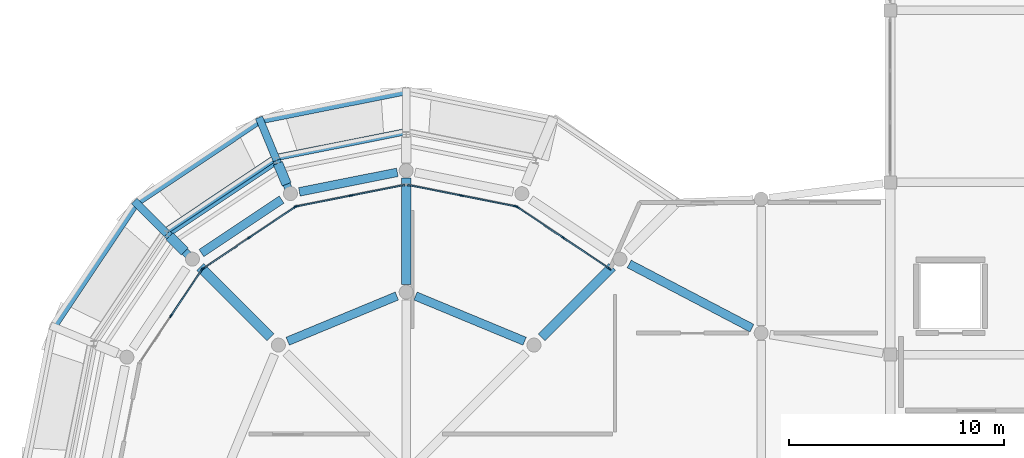
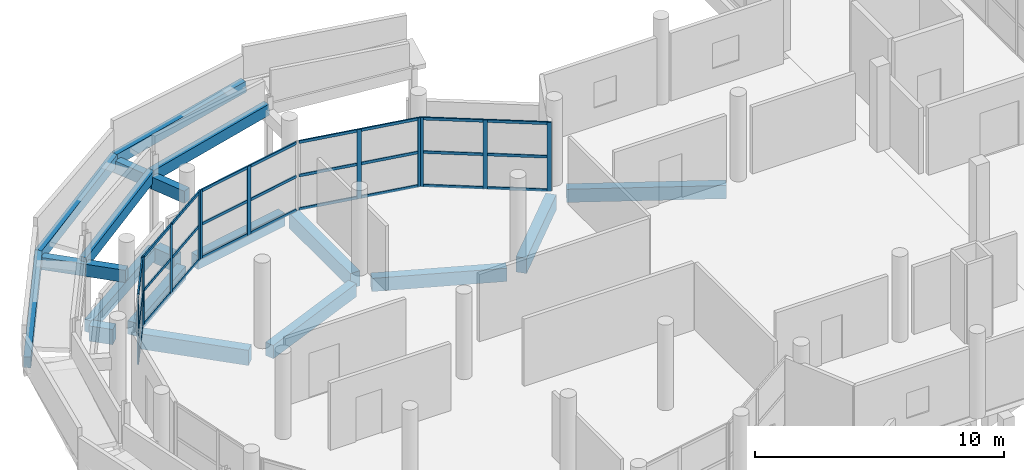
# One storey, part 17 of 137: 39 members, 20 beams, 5 elements without a shape of their own.
"""IFC4 building model written with IfcOpenShell, lengths in metres."""

from ifc_helpers import new_model, si_unit, direction, frame, origin, origin_2d, place, context, subcontext, project, spatial, rectangle, extrude, material, layer, layer_set, material_profile, profile_set, type_object, element, aggregate, save


model = new_model("IFC4")

# Units and contexts
model_context = context("Model", 3, precision=1e-05, world=origin(), true_north=direction((0.0, 1.0)))
body_context = subcontext(model_context, "Body", "Model", "MODEL_VIEW")
ifc_project = project(units=[si_unit("LENGTHUNIT", "METRE"), si_unit("AREAUNIT", "SQUARE_METRE"), si_unit("VOLUMEUNIT", "CUBIC_METRE"), si_unit("PLANEANGLEUNIT", "RADIAN"), si_unit("MASSUNIT", "GRAM", prefix="KILO")], contexts=[model_context])

# Site, building, storey
site_placement = place(None, origin())
site = spatial("IfcSite", under=ifc_project, at=site_placement, CompositionType="ELEMENT")
building_placement = place(site_placement, origin())
building = spatial("IfcBuilding", under=site, at=building_placement, Name="Jelvoka-Kovrelna Polytechnic", CompositionType="ELEMENT")
storey_placement = place(building_placement, frame((0.0, 0.0, 9.60009765625)))
storey = spatial("IfcBuildingStorey", under=building, at=storey_placement, Name="L03", CompositionType="ELEMENT", Elevation=9.60009765625)

# Beams
ifc_material_1 = material(Name="Concrete C35/45", Category="concrete")
ifc_material_profile_1 = material_profile(ifc_material_1, rectangle(XDim=0.35009765625, YDim=0.60009765625, at=origin_2d()), Name="RC 350x600")
ifc_profile_set_1 = profile_set([ifc_material_profile_1], Name="Concrete C35/45")
beam_type_1 = type_object("IfcBeamType", Name="Beam_RC_350x600", PredefinedType="BEAM", material=ifc_profile_set_1)
beam_1_placement = place(storey_placement, frame((15.565185546875, 52.434814453125, 2.414794921875), z_axis=(-0.707106781187, 0.707106781187, 0.0), x_axis=(-0.707106781187, -0.707106781187, 0.0)))
element("IfcBeam", 1, at=beam_1_placement, inside=storey, type_object=beam_type_1, Name="L03 spiral ramp inner tie beam 3.4", PredefinedType="BEAM", context=body_context, shape_type="SweptSolid", body=[
    extrude(rectangle(XDim=0.35009765625, YDim=0.60009765625, at=origin_2d()), origin(), (0.0, 0.0, 1.0), 1.670166015625),
])
beam_2_placement = place(storey_placement, frame((14.38427734375, 53.61572265625, 2.414794921875), z_axis=(-0.707106781187, 0.707106781187, 0.0), x_axis=(-0.707106781187, -0.707106781187, 0.0)))
element("IfcBeam", 2, at=beam_2_placement, inside=storey, type_object=beam_type_1, Name="L03 spiral ramp cantilever bracket 3.4", PredefinedType="BEAM", context=body_context, shape_type="SweptSolid", body=[
    extrude(rectangle(XDim=0.35009765625, YDim=0.60009765625, at=origin_2d()), origin(), (0.0, 0.0, 1.0), 2.159912109375),
])
beam_3_placement = place(storey_placement, frame((20.123291015625, 55.48046875, 2.8349609375), z_axis=(-0.38270467954, 0.923870731357, 0.0), x_axis=(-0.923870731357, -0.38270467954, 0.0)))
element("IfcBeam", 3, at=beam_3_placement, inside=storey, type_object=beam_type_1, Name="L03 spiral ramp inner tie beam 3.3", PredefinedType="BEAM", context=body_context, shape_type="SweptSolid", body=[
    extrude(rectangle(XDim=0.35009765625, YDim=0.60009765625, at=origin_2d()), origin(), (0.0, 0.0, 1.0), 1.670166015625),
])
beam_4_placement = place(storey_placement, frame((19.484130859375, 57.0234375, 2.8349609375), z_axis=(-0.382608018592, 0.923910766313, 0.0), x_axis=(-0.923910766313, -0.382608018592, 0.0)))
element("IfcBeam", 4, at=beam_4_placement, inside=storey, type_object=beam_type_1, Name="L03 spiral ramp cantilever bracket 3.3", PredefinedType="BEAM", context=body_context, shape_type="SweptSolid", body=[
    extrude(rectangle(XDim=0.35009765625, YDim=0.60009765625, at=origin_2d()), origin(), (0.0, 0.0, 1.0), 2.159912109375),
])
ifc_material_2 = material(Name="Concrete C40/50", Category="concrete")
ifc_material_profile_2 = material_profile(ifc_material_2, rectangle(XDim=0.39990234375, YDim=0.64990234375, at=origin_2d()), Name="RC 400x650")
ifc_profile_set_2 = profile_set([ifc_material_profile_2], Name="Concrete C40/50")
beam_type_2 = type_object("IfcBeamType", Name="Beam_RC_400x650", PredefinedType="BEAM", material=ifc_profile_set_2)
for number, where, z_axis, x_axis, name in (
    (5, (31.005615234375, 48.619384765625, -0.5751953125), (-0.923871015002, 0.382703994805, 0.0), (-0.382703994805, -0.923871015002, 0.0), "L03 beam 2478"),
    (6, (25.06591796875, 50.72021484375, -0.5751953125), (-0.923871015002, -0.382703994805, 0.0), (0.382703994805, -0.923871015002, 0.0), "L03 beam 2479"),
):
    element("IfcBeam", number, at=place(storey_placement, frame(where, z_axis=z_axis, x_axis=x_axis)), inside=storey, type_object=beam_type_2, Name=name, PredefinedType="BEAM", context=body_context, shape_type="SweptSolid", body=[
        extrude(rectangle(XDim=0.39990234375, YDim=0.64990234375, at=origin_2d()), origin(), (0.0, 0.0, 1.0), 5.489501953125),
    ])
beam_5_placement = place(storey_placement, frame((25.087158203125, 56.468017578125, -0.5751953125), z_axis=(-0.980774461066, -0.195144706619, 0.0), x_axis=(0.195144706619, -0.980774461066, 0.0)))
element("IfcBeam", 7, at=beam_5_placement, inside=storey, type_object=beam_type_2, Name="L03 beam 2486", PredefinedType="BEAM", context=body_context, shape_type="SweptSolid", body=[
    extrude(rectangle(XDim=0.39990234375, YDim=0.64990234375, at=origin_2d()), origin(), (0.0, 0.0, 1.0), 4.64013671875),
])
beam_6_placement = place(storey_placement, frame((19.70751953125, 55.20263671875, -0.5751953125), z_axis=(-0.831496756319, -0.55552960698, 0.0), x_axis=(0.55552960698, -0.831496756319, 0.0)))
element("IfcBeam", 8, at=beam_6_placement, inside=storey, type_object=beam_type_2, Name="L03 beam 2487", PredefinedType="BEAM", context=body_context, shape_type="SweptSolid", body=[
    extrude(rectangle(XDim=0.39990234375, YDim=0.64990234375, at=origin_2d()), origin(), (0.0, 0.0, 1.0), 4.481689453125),
])
beam_7_placement = place(storey_placement, frame((35.865478515625, 52.20947265625, -0.5751953125), z_axis=(0.886061545801, -0.463567618642, 0.0), x_axis=(0.463567618642, 0.886061545801, 0.0)))
element("IfcBeam", 9, at=beam_7_placement, inside=storey, type_object=beam_type_2, Name="L03 beam 2525", PredefinedType="BEAM", context=body_context, shape_type="SweptSolid", body=[
    extrude(rectangle(XDim=0.39990234375, YDim=0.64990234375, at=origin_2d()), origin(), (0.0, 0.0, 1.0), 6.437255859375),
])
ifc_material_3 = material(Name="Concrete C40/50", Category="concrete")
ifc_material_profile_3 = material_profile(ifc_material_3, rectangle(XDim=0.449951171875, YDim=0.75, at=origin_2d()), Name="RC 450x750")
ifc_profile_set_3 = profile_set([ifc_material_profile_3], Name="Concrete C40/50")
beam_type_3 = type_object("IfcBeamType", Name="Beam_RC_450x750", PredefinedType="BEAM", material=ifc_profile_set_3)
beam_8_placement = place(storey_placement, frame((31.800537109375, 48.800537109375, -0.625), z_axis=(0.707106781187, 0.707106781187, 0.0), x_axis=(-0.707106781187, 0.707106781187, 0.0)))
element("IfcBeam", 10, at=beam_8_placement, inside=storey, type_object=beam_type_3, Name="L03 beam 2465", PredefinedType="BEAM", context=body_context, shape_type="SweptSolid", body=[
    extrude(rectangle(XDim=0.449951171875, YDim=0.75, at=origin_2d()), origin(), (0.0, 0.0, 1.0), 4.62939453125),
])
beam_9_placement = place(storey_placement, frame((25.5, 51.2548828125, -0.625), z_axis=(0.0, 1.0, 0.0), x_axis=(-1.0, 0.0, 0.0)))
element("IfcBeam", 11, at=beam_9_placement, inside=storey, type_object=beam_type_3, Name="L03 beam 2467", PredefinedType="BEAM", context=body_context, shape_type="SweptSolid", body=[
    extrude(rectangle(XDim=0.449951171875, YDim=0.75, at=origin_2d()), origin(), (0.0, 0.0, 1.0), 4.940185546875),
])
beam_10_placement = place(storey_placement, frame((19.199462890625, 48.800537109375, -0.625), z_axis=(-0.707106781187, 0.707106781187, 0.0), x_axis=(-0.707106781187, -0.707106781187, 0.0)))
element("IfcBeam", 12, at=beam_10_placement, inside=storey, type_object=beam_type_3, Name="L03 beam 2469", PredefinedType="BEAM", context=body_context, shape_type="SweptSolid", body=[
    extrude(rectangle(XDim=0.449951171875, YDim=0.75, at=origin_2d()), origin(), (0.0, 0.0, 1.0), 4.62939453125),
])
beam_11_placement = place(storey_placement, frame((19.943603515625, 55.914794921875, -0.625), z_axis=(-0.382822216634, 0.923822033971, 0.0), x_axis=(-0.923822033971, -0.382822216634, 0.0)))
element("IfcBeam", 13, at=beam_11_placement, inside=storey, type_object=beam_type_3, Name="L03 beam 2500", PredefinedType="BEAM", context=body_context, shape_type="SweptSolid", body=[
    extrude(rectangle(XDim=0.449951171875, YDim=0.75, at=origin_2d()), origin(), (0.0, 0.0, 1.0), 1.05419921875),
])
beam_12_placement = place(storey_placement, frame((15.2041015625, 52.7958984375, -0.625), z_axis=(-0.707106781187, 0.707106781187, 0.0), x_axis=(-0.707106781187, -0.707106781187, 0.0)))
element("IfcBeam", 14, at=beam_12_placement, inside=storey, type_object=beam_type_3, Name="L03 beam 2501", PredefinedType="BEAM", context=body_context, shape_type="SweptSolid", body=[
    extrude(rectangle(XDim=0.449951171875, YDim=0.75, at=origin_2d()), origin(), (0.0, 0.0, 1.0), 0.99951171875),
])

# Curtain wall, members
ifc_material_4 = material(Name="Anodised aluminium 6063-T6", Category="aluminium")
ifc_layer = layer(ifc_material_4, 0.179931640625)
ifc_layer_set = layer_set([ifc_layer], Name="Anodised aluminium 6063-T6")
curtain_wall_type = type_object("IfcCurtainWallType", Name="CW_Pavilion", PredefinedType="NOTDEFINED", material=ifc_layer_set)
curtain_wall_1_placement = place(storey_placement, origin())
curtain_wall_1 = element("IfcCurtainWall", 15, at=curtain_wall_1_placement, inside=storey, type_object=curtain_wall_type, Name="L03 glazed curtain wall 233", PredefinedType="NOTDEFINED")
ifc_material_5 = material(Name="Anodised aluminium 6063-T6", Category="aluminium")
ifc_material_profile_4 = material_profile(ifc_material_5, rectangle(XDim=0.06494140625, YDim=0.179931640625, at=origin_2d()), Name="ALU 65x180")
ifc_profile_set_4 = profile_set([ifc_material_profile_4], Name="Anodised aluminium 6063-T6")
member_type_1 = type_object("IfcMemberType", Name="Mullion_M-05", PredefinedType="MULLION", material=ifc_profile_set_4)
member_1_placement = place(storey_placement, frame((30.655029296875, 54.862060546875, -0.02490234375), z_axis=(0.0, 0.0, 1.0), x_axis=(0.555582639326, 0.83146132254, 0.0)))
member_1 = element("IfcMember", 16, at=member_1_placement, type_object=member_type_1, Name="CW-05 mullion 1", PredefinedType="MULLION", context=body_context, shape_type="SweptSolid", body=[
    extrude(rectangle(XDim=0.06494140625, YDim=0.179931640625, at=origin_2d()), origin(), (0.0, 0.0, 1.0), 3.39990234375),
])
member_2_placement = place(storey_placement, frame((32.801513671875, 53.427490234375, -0.02490234375), z_axis=(0.0, 0.0, 1.0), x_axis=(0.555582639326, 0.83146132254, 0.0)))
member_2 = element("IfcMember", 17, at=member_2_placement, type_object=member_type_1, Name="CW-05 mullion 2", PredefinedType="MULLION", context=body_context, shape_type="SweptSolid", body=[
    extrude(rectangle(XDim=0.06494140625, YDim=0.179931640625, at=origin_2d()), origin(), (0.0, 0.0, 1.0), 3.39990234375),
])
member_3_placement = place(storey_placement, frame((34.9482421875, 51.9931640625, -0.02490234375), z_axis=(0.0, 0.0, 1.0), x_axis=(0.555582639326, 0.83146132254, 0.0)))
member_3 = element("IfcMember", 18, at=member_3_placement, type_object=member_type_1, Name="CW-05 mullion 3", PredefinedType="MULLION", context=body_context, shape_type="SweptSolid", body=[
    extrude(rectangle(XDim=0.06494140625, YDim=0.179931640625, at=origin_2d()), origin(), (0.0, 0.0, 1.0), 3.39990234375),
])

curtain_wall_2_placement = place(storey_placement, origin())
curtain_wall_2 = element("IfcCurtainWall", 19, at=curtain_wall_2_placement, inside=storey, type_object=curtain_wall_type, Name="L03 glazed curtain wall 234", PredefinedType="NOTDEFINED")
member_4_placement = place(storey_placement, frame((28.06396484375, 55.389892578125, -0.02490234375), z_axis=(0.0, 0.0, 1.0), x_axis=(0.195086160371, 0.980786108197, 0.0)))
member_4 = element("IfcMember", 20, at=member_4_placement, type_object=member_type_1, Name="CW-05 mullion 2", PredefinedType="MULLION", context=body_context, shape_type="SweptSolid", body=[
    extrude(rectangle(XDim=0.06494140625, YDim=0.179931640625, at=origin_2d()), origin(), (0.0, 0.0, 1.0), 3.39990234375),
])
member_5_placement = place(storey_placement, frame((30.59619140625, 54.88623046875, -0.02490234375), z_axis=(0.0, 0.0, 1.0), x_axis=(0.195086160371, 0.980786108197, 0.0)))
member_5 = element("IfcMember", 21, at=member_5_placement, type_object=member_type_1, Name="CW-05 mullion 3", PredefinedType="MULLION", context=body_context, shape_type="SweptSolid", body=[
    extrude(rectangle(XDim=0.06494140625, YDim=0.179931640625, at=origin_2d()), origin(), (0.0, 0.0, 1.0), 3.39990234375),
])

curtain_wall_3_placement = place(storey_placement, origin())
curtain_wall_3 = element("IfcCurtainWall", 22, at=curtain_wall_3_placement, inside=storey, type_object=curtain_wall_type, Name="L03 glazed curtain wall 235", PredefinedType="NOTDEFINED")
member_6_placement = place(storey_placement, frame((20.40380859375, 54.88623046875, -0.02490234375), z_axis=(0.0, 0.0, 1.0), x_axis=(-0.195086160371, 0.980786108197, 0.0)))
member_6 = element("IfcMember", 23, at=member_6_placement, type_object=member_type_1, Name="CW-05 mullion 1", PredefinedType="MULLION", context=body_context, shape_type="SweptSolid", body=[
    extrude(rectangle(XDim=0.06494140625, YDim=0.179931640625, at=origin_2d()), origin(), (0.0, 0.0, 1.0), 3.39990234375),
])
member_7_placement = place(storey_placement, frame((22.93603515625, 55.389892578125, -0.02490234375), z_axis=(0.0, 0.0, 1.0), x_axis=(-0.195086160371, 0.980786108197, 0.0)))
member_7 = element("IfcMember", 24, at=member_7_placement, type_object=member_type_1, Name="CW-05 mullion 2", PredefinedType="MULLION", context=body_context, shape_type="SweptSolid", body=[
    extrude(rectangle(XDim=0.06494140625, YDim=0.179931640625, at=origin_2d()), origin(), (0.0, 0.0, 1.0), 3.39990234375),
])

curtain_wall_4_placement = place(storey_placement, origin())
curtain_wall_4 = element("IfcCurtainWall", 25, at=curtain_wall_4_placement, inside=storey, type_object=curtain_wall_type, Name="L03 glazed curtain wall 236", PredefinedType="NOTDEFINED")
member_8_placement = place(storey_placement, frame((16.0517578125, 51.9931640625, -0.02490234375), z_axis=(0.0, 0.0, 1.0), x_axis=(-0.555582639326, 0.83146132254, 0.0)))
member_8 = element("IfcMember", 26, at=member_8_placement, type_object=member_type_1, Name="CW-05 mullion 1", PredefinedType="MULLION", context=body_context, shape_type="SweptSolid", body=[
    extrude(rectangle(XDim=0.06494140625, YDim=0.179931640625, at=origin_2d()), origin(), (0.0, 0.0, 1.0), 3.39990234375),
])
member_9_placement = place(storey_placement, frame((18.198486328125, 53.427490234375, -0.02490234375), z_axis=(0.0, 0.0, 1.0), x_axis=(-0.555582639326, 0.83146132254, 0.0)))
member_9 = element("IfcMember", 27, at=member_9_placement, type_object=member_type_1, Name="CW-05 mullion 2", PredefinedType="MULLION", context=body_context, shape_type="SweptSolid", body=[
    extrude(rectangle(XDim=0.06494140625, YDim=0.179931640625, at=origin_2d()), origin(), (0.0, 0.0, 1.0), 3.39990234375),
])
member_10_placement = place(storey_placement, frame((20.344970703125, 54.862060546875, -0.02490234375), z_axis=(0.0, 0.0, 1.0), x_axis=(-0.555582639326, 0.83146132254, 0.0)))
member_10 = element("IfcMember", 28, at=member_10_placement, type_object=member_type_1, Name="CW-05 mullion 3", PredefinedType="MULLION", context=body_context, shape_type="SweptSolid", body=[
    extrude(rectangle(XDim=0.06494140625, YDim=0.179931640625, at=origin_2d()), origin(), (0.0, 0.0, 1.0), 3.39990234375),
])

curtain_wall_5_placement = place(storey_placement, origin())
curtain_wall_5 = element("IfcCurtainWall", 29, at=curtain_wall_5_placement, inside=storey, type_object=curtain_wall_type, Name="L03 glazed curtain wall 237", PredefinedType="NOTDEFINED")
member_11_placement = place(storey_placement, frame((14.572509765625, 49.801513671875, -0.02490234375), z_axis=(0.0, 0.0, 1.0), x_axis=(-0.83146132254, 0.555582639326, 0.0)))
member_11 = element("IfcMember", 30, at=member_11_placement, type_object=member_type_1, Name="CW-05 mullion 2", PredefinedType="MULLION", context=body_context, shape_type="SweptSolid", body=[
    extrude(rectangle(XDim=0.06494140625, YDim=0.179931640625, at=origin_2d()), origin(), (0.0, 0.0, 1.0), 3.39990234375),
])
member_12_placement = place(storey_placement, frame((16.0068359375, 51.9482421875, -0.02490234375), z_axis=(0.0, 0.0, 1.0), x_axis=(-0.83146132254, 0.555582639326, 0.0)))
member_12 = element("IfcMember", 31, at=member_12_placement, type_object=member_type_1, Name="CW-05 mullion 3", PredefinedType="MULLION", context=body_context, shape_type="SweptSolid", body=[
    extrude(rectangle(XDim=0.06494140625, YDim=0.179931640625, at=origin_2d()), origin(), (0.0, 0.0, 1.0), 3.39990234375),
])

# Beams
ifc_material_6 = material(Name="Concrete C40/50", Category="concrete")
ifc_material_profile_5 = material_profile(ifc_material_6, rectangle(XDim=0.300048828125, YDim=0.550048828125, at=origin_2d()), Name="RC 300x550")
ifc_profile_set_5 = profile_set([ifc_material_profile_5], Name="Concrete C40/50")
beam_type_4 = type_object("IfcBeamType", Name="Spandrel_RC_300x550", PredefinedType="SPANDREL", material=ifc_profile_set_5)
for number, where, z_axis, x_axis, name in (
    (32, (9.12890625, 49.28125, 2.244873046875), (0.554574307652, 0.829922883435, 0.06062462242), (-0.831452226772, 0.555596251424, 0.0), "L03 spiral ramp curved outer stringer 3.5"),
    (33, (12.97021484375, 55.02978515625, 2.664794921875), (0.829921109522, 0.554573122281, 0.060659739637), (-0.555596251424, 0.831452226772, 0.0), "L03 spiral ramp curved outer stringer 3.4"),
):
    element("IfcBeam", number, at=place(storey_placement, frame(where, z_axis=z_axis, x_axis=x_axis)), inside=storey, type_object=beam_type_4, Name=name, PredefinedType="SPANDREL", context=body_context, shape_type="SweptSolid", body=[
        extrude(rectangle(XDim=0.300048828125, YDim=0.550048828125, at=origin_2d()), origin(), (0.0, 0.0, 1.0), 6.926513671875),
    ])
beam_13_placement = place(storey_placement, frame((14.285400390625, 53.714599609375, 2.664794921875), z_axis=(0.829557148059, 0.554297687258, 0.067742246824), x_axis=(-0.555573920801, 0.831467148194, 0.0)))
element("IfcBeam", 34, at=beam_13_placement, inside=storey, type_object=beam_type_4, Name="L03 spiral ramp curved inner stringer 3.4", PredefinedType="SPANDREL", context=body_context, shape_type="SweptSolid", body=[
    extrude(rectangle(XDim=0.300048828125, YDim=0.550048828125, at=origin_2d()), origin(), (0.0, 0.0, 1.0), 6.202392578125),
])
beam_14_placement = place(storey_placement, frame((18.71875, 58.87109375, 3.0849609375), z_axis=(0.978981323396, 0.194731848062, 0.060622403379), x_axis=(-0.195090664524, 0.980785212274, 0.0)))
element("IfcBeam", 35, at=beam_14_placement, inside=storey, type_object=beam_type_4, Name="L03 spiral ramp curved outer stringer 3.3", PredefinedType="SPANDREL", context=body_context, shape_type="SweptSolid", body=[
    extrude(rectangle(XDim=0.300048828125, YDim=0.550048828125, at=origin_2d()), origin(), (0.0, 0.0, 1.0), 6.9267578125),
])
beam_15_placement = place(storey_placement, frame((19.4306640625, 57.152587890625, 3.0849609375), z_axis=(0.978527145192, 0.194682029772, 0.067701797656), x_axis=(-0.195129735209, 0.980777439808, 0.0)))
element("IfcBeam", 36, at=beam_15_placement, inside=storey, type_object=beam_type_4, Name="L03 spiral ramp curved inner stringer 3.3", PredefinedType="SPANDREL", context=body_context, shape_type="SweptSolid", body=[
    extrude(rectangle(XDim=0.300048828125, YDim=0.550048828125, at=origin_2d()), origin(), (0.0, 0.0, 1.0), 6.20263671875),
])
ifc_material_7 = material(Name="Concrete C40/50", Category="concrete")
ifc_material_profile_6 = material_profile(ifc_material_7, rectangle(XDim=0.35009765625, YDim=0.60009765625, at=origin_2d()), Name="RC 350x600")
ifc_profile_set_6 = profile_set([ifc_material_profile_6], Name="Concrete C40/50")
beam_type_5 = type_object("IfcBeamType", Name="Spandrel_RC_350x600", PredefinedType="SPANDREL", material=ifc_profile_set_6)
beam_16_placement = place(storey_placement, frame((19.3544921875, 56.9365234375, -0.550048828125), z_axis=(-0.831475611635, -0.555561254279, 0.0), x_axis=(0.555561254279, -0.831475611635, 0.0)))
element("IfcBeam", 37, at=beam_16_placement, inside=storey, type_object=beam_type_5, Name="L03 beam 2512", PredefinedType="SPANDREL", context=body_context, shape_type="SweptSolid", body=[
    extrude(rectangle(XDim=0.35009765625, YDim=0.60009765625, at=origin_2d()), origin(), (0.0, 0.0, 1.0), 5.8212890625),
])

# Member
ifc_material_8 = material(Name="Anodised aluminium 6063-T6", Category="aluminium")
ifc_material_profile_7 = material_profile(ifc_material_8, rectangle(XDim=0.06494140625, YDim=0.135009765625, at=origin_2d()), Name="ALU 65x135")
ifc_profile_set_7 = profile_set([ifc_material_profile_7], Name="Anodised aluminium 6063-T6")
member_type_2 = type_object("IfcMemberType", Name="Transom_T-05", PredefinedType="USERDEFINED", material=ifc_profile_set_7)
member_13_placement = place(storey_placement, frame((30.68212890625, 54.843994140625, 0.032470703125), z_axis=(0.831422966795, -0.555640036612, 0.0), x_axis=(0.555640036612, 0.831422966795, 0.0)))
member_13 = element("IfcMember", 38, at=member_13_placement, type_object=member_type_2, Name="CW-05 transom 1.1", ObjectType="TRANSOM", PredefinedType="USERDEFINED", context=body_context, shape_type="SweptSolid", body=[
    extrude(rectangle(XDim=0.06494140625, YDim=0.135009765625, at=origin_2d()), origin(), (0.0, 0.0, 1.0), 2.516845703125),
])

member_14_placement = place(storey_placement, frame((30.68212890625, 54.843994140625, 1.6748046875), z_axis=(0.831422966795, -0.555640036612, 0.0), x_axis=(0.555640036612, 0.831422966795, 0.0)))
member_14 = element("IfcMember", 39, at=member_14_placement, type_object=member_type_2, Name="CW-05 transom 1.2", ObjectType="TRANSOM", PredefinedType="USERDEFINED", context=body_context, shape_type="SweptSolid", body=[
    extrude(rectangle(XDim=0.06494140625, YDim=0.135009765625, at=origin_2d()), origin(), (0.0, 0.0, 1.0), 2.516845703125),
])

member_15_placement = place(storey_placement, frame((30.68212890625, 54.843994140625, 3.3173828125), z_axis=(0.831422966795, -0.555640036612, 0.0), x_axis=(0.555640036612, 0.831422966795, 0.0)))
member_15 = element("IfcMember", 40, at=member_15_placement, type_object=member_type_2, Name="CW-05 transom 1.3", ObjectType="TRANSOM", PredefinedType="USERDEFINED", context=body_context, shape_type="SweptSolid", body=[
    extrude(rectangle(XDim=0.06494140625, YDim=0.135009765625, at=origin_2d()), origin(), (0.0, 0.0, 1.0), 2.516845703125),
])

member_16_placement = place(storey_placement, frame((32.82861328125, 53.409423828125, 0.032470703125), z_axis=(0.831467779718, -0.555572975667, 0.0), x_axis=(0.555572975667, 0.831467779718, 0.0)))
member_16 = element("IfcMember", 41, at=member_16_placement, type_object=member_type_2, Name="CW-05 transom 2.1", ObjectType="TRANSOM", PredefinedType="USERDEFINED", context=body_context, shape_type="SweptSolid", body=[
    extrude(rectangle(XDim=0.06494140625, YDim=0.135009765625, at=origin_2d()), origin(), (0.0, 0.0, 1.0), 2.5166015625),
])

member_17_placement = place(storey_placement, frame((32.82861328125, 53.409423828125, 1.6748046875), z_axis=(0.831467779718, -0.555572975667, 0.0), x_axis=(0.555572975667, 0.831467779718, 0.0)))
member_17 = element("IfcMember", 42, at=member_17_placement, type_object=member_type_2, Name="CW-05 transom 2.2", ObjectType="TRANSOM", PredefinedType="USERDEFINED", context=body_context, shape_type="SweptSolid", body=[
    extrude(rectangle(XDim=0.06494140625, YDim=0.135009765625, at=origin_2d()), origin(), (0.0, 0.0, 1.0), 2.5166015625),
])

member_18_placement = place(storey_placement, frame((32.82861328125, 53.409423828125, 3.3173828125), z_axis=(0.831467779718, -0.555572975667, 0.0), x_axis=(0.555572975667, 0.831467779718, 0.0)))
member_18 = element("IfcMember", 43, at=member_18_placement, type_object=member_type_2, Name="CW-05 transom 2.3", ObjectType="TRANSOM", PredefinedType="USERDEFINED", context=body_context, shape_type="SweptSolid", body=[
    extrude(rectangle(XDim=0.06494140625, YDim=0.135009765625, at=origin_2d()), origin(), (0.0, 0.0, 1.0), 2.5166015625),
])

aggregate(curtain_wall_1, [member_1, member_2, member_3, member_13, member_14, member_15, member_16, member_17, member_18])

member_19_placement = place(storey_placement, frame((25.563720703125, 55.88720703125, 0.032470703125), z_axis=(0.980789047023, -0.195071384983, 0.0), x_axis=(0.195071384983, 0.980789047023, 0.0)))
member_19 = element("IfcMember", 44, at=member_19_placement, type_object=member_type_2, Name="CW-05 transom 1.1", ObjectType="TRANSOM", PredefinedType="USERDEFINED", context=body_context, shape_type="SweptSolid", body=[
    extrude(rectangle(XDim=0.06494140625, YDim=0.135009765625, at=origin_2d()), origin(), (0.0, 0.0, 1.0), 2.516845703125),
])

member_20_placement = place(storey_placement, frame((25.563720703125, 55.88720703125, 1.6748046875), z_axis=(0.980789047023, -0.195071384983, 0.0), x_axis=(0.195071384983, 0.980789047023, 0.0)))
member_20 = element("IfcMember", 45, at=member_20_placement, type_object=member_type_2, Name="CW-05 transom 1.2", ObjectType="TRANSOM", PredefinedType="USERDEFINED", context=body_context, shape_type="SweptSolid", body=[
    extrude(rectangle(XDim=0.06494140625, YDim=0.135009765625, at=origin_2d()), origin(), (0.0, 0.0, 1.0), 2.516845703125),
])

member_21_placement = place(storey_placement, frame((25.563720703125, 55.88720703125, 3.3173828125), z_axis=(0.980789047023, -0.195071384983, 0.0), x_axis=(0.195071384983, 0.980789047023, 0.0)))
member_21 = element("IfcMember", 46, at=member_21_placement, type_object=member_type_2, Name="CW-05 transom 1.3", ObjectType="TRANSOM", PredefinedType="USERDEFINED", context=body_context, shape_type="SweptSolid", body=[
    extrude(rectangle(XDim=0.06494140625, YDim=0.135009765625, at=origin_2d()), origin(), (0.0, 0.0, 1.0), 2.516845703125),
])

member_22_placement = place(storey_placement, frame((28.095947265625, 55.383544921875, 0.032470703125), z_axis=(0.980785355287, -0.195089945547, 0.0), x_axis=(0.195089945547, 0.980785355287, 0.0)))
member_22 = element("IfcMember", 47, at=member_22_placement, type_object=member_type_2, Name="CW-05 transom 2.1", ObjectType="TRANSOM", PredefinedType="USERDEFINED", context=body_context, shape_type="SweptSolid", body=[
    extrude(rectangle(XDim=0.06494140625, YDim=0.135009765625, at=origin_2d()), origin(), (0.0, 0.0, 1.0), 2.5166015625),
])

member_23_placement = place(storey_placement, frame((28.095947265625, 55.383544921875, 1.6748046875), z_axis=(0.980785355287, -0.195089945547, 0.0), x_axis=(0.195089945547, 0.980785355287, 0.0)))
member_23 = element("IfcMember", 48, at=member_23_placement, type_object=member_type_2, Name="CW-05 transom 2.2", ObjectType="TRANSOM", PredefinedType="USERDEFINED", context=body_context, shape_type="SweptSolid", body=[
    extrude(rectangle(XDim=0.06494140625, YDim=0.135009765625, at=origin_2d()), origin(), (0.0, 0.0, 1.0), 2.5166015625),
])

member_24_placement = place(storey_placement, frame((28.095947265625, 55.383544921875, 3.3173828125), z_axis=(0.980785355287, -0.195089945547, 0.0), x_axis=(0.195089945547, 0.980785355287, 0.0)))
member_24 = element("IfcMember", 49, at=member_24_placement, type_object=member_type_2, Name="CW-05 transom 2.3", ObjectType="TRANSOM", PredefinedType="USERDEFINED", context=body_context, shape_type="SweptSolid", body=[
    extrude(rectangle(XDim=0.06494140625, YDim=0.135009765625, at=origin_2d()), origin(), (0.0, 0.0, 1.0), 2.5166015625),
])

aggregate(curtain_wall_2, [member_4, member_5, member_19, member_20, member_21, member_22, member_23, member_24])

member_25_placement = place(storey_placement, frame((20.435791015625, 54.892578125, 0.032470703125), z_axis=(0.980785355287, 0.195089945547, 0.0), x_axis=(-0.195089945547, 0.980785355287, 0.0)))
member_25 = element("IfcMember", 50, at=member_25_placement, type_object=member_type_2, Name="CW-05 transom 1.1", ObjectType="TRANSOM", PredefinedType="USERDEFINED", context=body_context, shape_type="SweptSolid", body=[
    extrude(rectangle(XDim=0.06494140625, YDim=0.135009765625, at=origin_2d()), origin(), (0.0, 0.0, 1.0), 2.5166015625),
])

member_26_placement = place(storey_placement, frame((20.435791015625, 54.892578125, 1.6748046875), z_axis=(0.980785355287, 0.195089945547, 0.0), x_axis=(-0.195089945547, 0.980785355287, 0.0)))
member_26 = element("IfcMember", 51, at=member_26_placement, type_object=member_type_2, Name="CW-05 transom 1.2", ObjectType="TRANSOM", PredefinedType="USERDEFINED", context=body_context, shape_type="SweptSolid", body=[
    extrude(rectangle(XDim=0.06494140625, YDim=0.135009765625, at=origin_2d()), origin(), (0.0, 0.0, 1.0), 2.5166015625),
])

member_27_placement = place(storey_placement, frame((20.435791015625, 54.892578125, 3.3173828125), z_axis=(0.980785355287, 0.195089945547, 0.0), x_axis=(-0.195089945547, 0.980785355287, 0.0)))
member_27 = element("IfcMember", 52, at=member_27_placement, type_object=member_type_2, Name="CW-05 transom 1.3", ObjectType="TRANSOM", PredefinedType="USERDEFINED", context=body_context, shape_type="SweptSolid", body=[
    extrude(rectangle(XDim=0.06494140625, YDim=0.135009765625, at=origin_2d()), origin(), (0.0, 0.0, 1.0), 2.5166015625),
])

member_28_placement = place(storey_placement, frame((22.9677734375, 55.396240234375, 0.032470703125), z_axis=(0.980789047023, 0.195071384983, 0.0), x_axis=(-0.195071384983, 0.980789047023, 0.0)))
member_28 = element("IfcMember", 53, at=member_28_placement, type_object=member_type_2, Name="CW-05 transom 2.1", ObjectType="TRANSOM", PredefinedType="USERDEFINED", context=body_context, shape_type="SweptSolid", body=[
    extrude(rectangle(XDim=0.06494140625, YDim=0.135009765625, at=origin_2d()), origin(), (0.0, 0.0, 1.0), 2.516845703125),
])

member_29_placement = place(storey_placement, frame((22.9677734375, 55.396240234375, 1.6748046875), z_axis=(0.980789047023, 0.195071384983, 0.0), x_axis=(-0.195071384983, 0.980789047023, 0.0)))
member_29 = element("IfcMember", 54, at=member_29_placement, type_object=member_type_2, Name="CW-05 transom 2.2", ObjectType="TRANSOM", PredefinedType="USERDEFINED", context=body_context, shape_type="SweptSolid", body=[
    extrude(rectangle(XDim=0.06494140625, YDim=0.135009765625, at=origin_2d()), origin(), (0.0, 0.0, 1.0), 2.516845703125),
])

member_30_placement = place(storey_placement, frame((22.9677734375, 55.396240234375, 3.3173828125), z_axis=(0.980789047023, 0.195071384983, 0.0), x_axis=(-0.195071384983, 0.980789047023, 0.0)))
member_30 = element("IfcMember", 55, at=member_30_placement, type_object=member_type_2, Name="CW-05 transom 2.3", ObjectType="TRANSOM", PredefinedType="USERDEFINED", context=body_context, shape_type="SweptSolid", body=[
    extrude(rectangle(XDim=0.06494140625, YDim=0.135009765625, at=origin_2d()), origin(), (0.0, 0.0, 1.0), 2.516845703125),
])

aggregate(curtain_wall_3, [member_6, member_7, member_25, member_26, member_27, member_28, member_29, member_30])

member_31_placement = place(storey_placement, frame((16.078857421875, 52.01123046875, 0.032470703125), z_axis=(0.831467779718, 0.555572975667, 0.0), x_axis=(-0.555572975667, 0.831467779718, 0.0)))
member_31 = element("IfcMember", 56, at=member_31_placement, type_object=member_type_2, Name="CW-05 transom 1.1", ObjectType="TRANSOM", PredefinedType="USERDEFINED", context=body_context, shape_type="SweptSolid", body=[
    extrude(rectangle(XDim=0.06494140625, YDim=0.135009765625, at=origin_2d()), origin(), (0.0, 0.0, 1.0), 2.5166015625),
])

member_32_placement = place(storey_placement, frame((16.078857421875, 52.01123046875, 1.6748046875), z_axis=(0.831467779718, 0.555572975667, 0.0), x_axis=(-0.555572975667, 0.831467779718, 0.0)))
member_32 = element("IfcMember", 57, at=member_32_placement, type_object=member_type_2, Name="CW-05 transom 1.2", ObjectType="TRANSOM", PredefinedType="USERDEFINED", context=body_context, shape_type="SweptSolid", body=[
    extrude(rectangle(XDim=0.06494140625, YDim=0.135009765625, at=origin_2d()), origin(), (0.0, 0.0, 1.0), 2.5166015625),
])

member_33_placement = place(storey_placement, frame((16.078857421875, 52.01123046875, 3.3173828125), z_axis=(0.831467779718, 0.555572975667, 0.0), x_axis=(-0.555572975667, 0.831467779718, 0.0)))
member_33 = element("IfcMember", 58, at=member_33_placement, type_object=member_type_2, Name="CW-05 transom 1.3", ObjectType="TRANSOM", PredefinedType="USERDEFINED", context=body_context, shape_type="SweptSolid", body=[
    extrude(rectangle(XDim=0.06494140625, YDim=0.135009765625, at=origin_2d()), origin(), (0.0, 0.0, 1.0), 2.5166015625),
])

member_34_placement = place(storey_placement, frame((18.225341796875, 53.445556640625, 0.032470703125), z_axis=(0.831422966795, 0.555640036612, 0.0), x_axis=(-0.555640036612, 0.831422966795, 0.0)))
member_34 = element("IfcMember", 59, at=member_34_placement, type_object=member_type_2, Name="CW-05 transom 2.1", ObjectType="TRANSOM", PredefinedType="USERDEFINED", context=body_context, shape_type="SweptSolid", body=[
    extrude(rectangle(XDim=0.06494140625, YDim=0.135009765625, at=origin_2d()), origin(), (0.0, 0.0, 1.0), 2.516845703125),
])

member_35_placement = place(storey_placement, frame((18.225341796875, 53.445556640625, 1.6748046875), z_axis=(0.831422966795, 0.555640036612, 0.0), x_axis=(-0.555640036612, 0.831422966795, 0.0)))
member_35 = element("IfcMember", 60, at=member_35_placement, type_object=member_type_2, Name="CW-05 transom 2.2", ObjectType="TRANSOM", PredefinedType="USERDEFINED", context=body_context, shape_type="SweptSolid", body=[
    extrude(rectangle(XDim=0.06494140625, YDim=0.135009765625, at=origin_2d()), origin(), (0.0, 0.0, 1.0), 2.516845703125),
])

member_36_placement = place(storey_placement, frame((18.225341796875, 53.445556640625, 3.3173828125), z_axis=(0.831422966795, 0.555640036612, 0.0), x_axis=(-0.555640036612, 0.831422966795, 0.0)))
member_36 = element("IfcMember", 61, at=member_36_placement, type_object=member_type_2, Name="CW-05 transom 2.3", ObjectType="TRANSOM", PredefinedType="USERDEFINED", context=body_context, shape_type="SweptSolid", body=[
    extrude(rectangle(XDim=0.06494140625, YDim=0.135009765625, at=origin_2d()), origin(), (0.0, 0.0, 1.0), 2.516845703125),
])

aggregate(curtain_wall_4, [member_8, member_9, member_10, member_31, member_32, member_33, member_34, member_35, member_36])

member_37_placement = place(storey_placement, frame((14.590576171875, 49.82861328125, 0.032470703125), z_axis=(0.555572975667, 0.831467779718, 0.0), x_axis=(-0.831467779718, 0.555572975667, 0.0)))
member_37 = element("IfcMember", 62, at=member_37_placement, type_object=member_type_2, Name="CW-05 transom 2.1", ObjectType="TRANSOM", PredefinedType="USERDEFINED", context=body_context, shape_type="SweptSolid", body=[
    extrude(rectangle(XDim=0.06494140625, YDim=0.135009765625, at=origin_2d()), origin(), (0.0, 0.0, 1.0), 2.5166015625),
])

member_38_placement = place(storey_placement, frame((14.590576171875, 49.82861328125, 1.6748046875), z_axis=(0.555572975667, 0.831467779718, 0.0), x_axis=(-0.831467779718, 0.555572975667, 0.0)))
member_38 = element("IfcMember", 63, at=member_38_placement, type_object=member_type_2, Name="CW-05 transom 2.2", ObjectType="TRANSOM", PredefinedType="USERDEFINED", context=body_context, shape_type="SweptSolid", body=[
    extrude(rectangle(XDim=0.06494140625, YDim=0.135009765625, at=origin_2d()), origin(), (0.0, 0.0, 1.0), 2.5166015625),
])

member_39_placement = place(storey_placement, frame((14.590576171875, 49.82861328125, 3.3173828125), z_axis=(0.555572975667, 0.831467779718, 0.0), x_axis=(-0.831467779718, 0.555572975667, 0.0)))
member_39 = element("IfcMember", 64, at=member_39_placement, type_object=member_type_2, Name="CW-05 transom 2.3", ObjectType="TRANSOM", PredefinedType="USERDEFINED", context=body_context, shape_type="SweptSolid", body=[
    extrude(rectangle(XDim=0.06494140625, YDim=0.135009765625, at=origin_2d()), origin(), (0.0, 0.0, 1.0), 2.5166015625),
])

aggregate(curtain_wall_5, [member_11, member_12, member_37, member_38, member_39])

save(model, "model.ifc")
